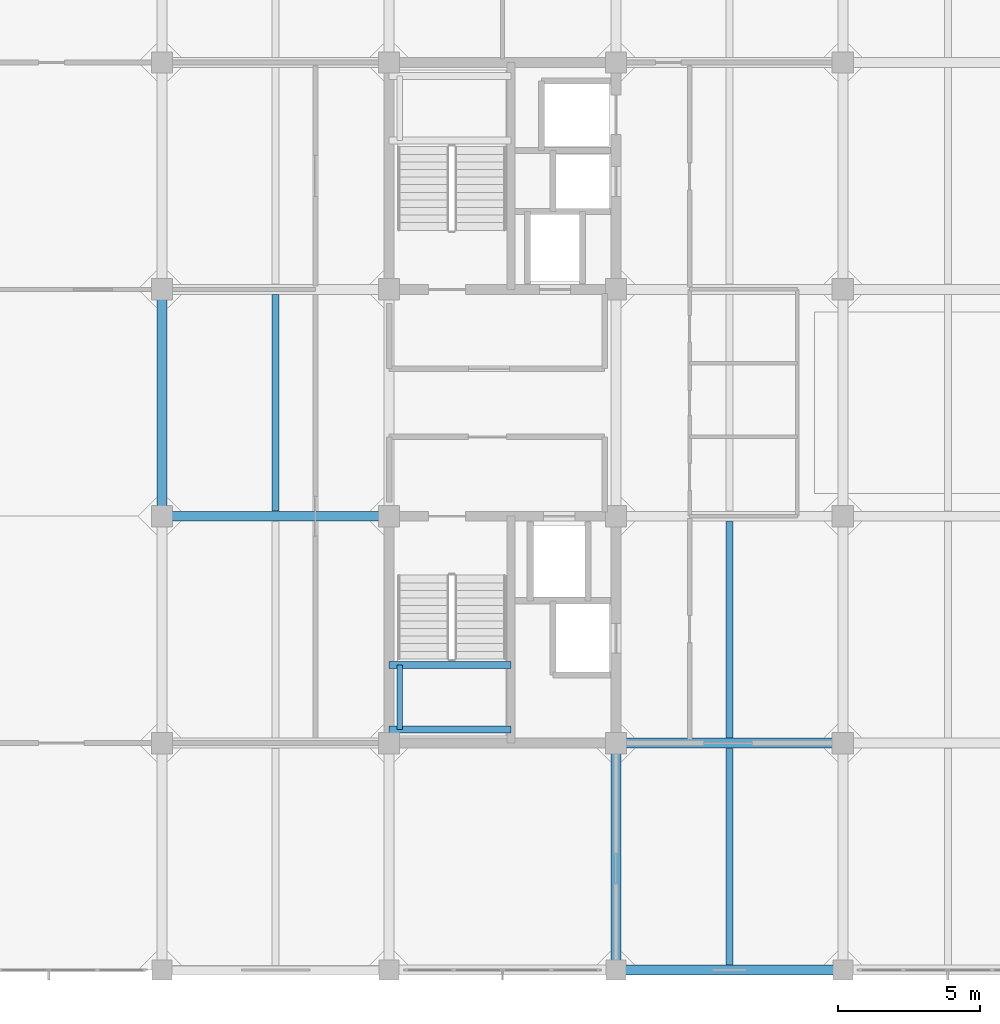
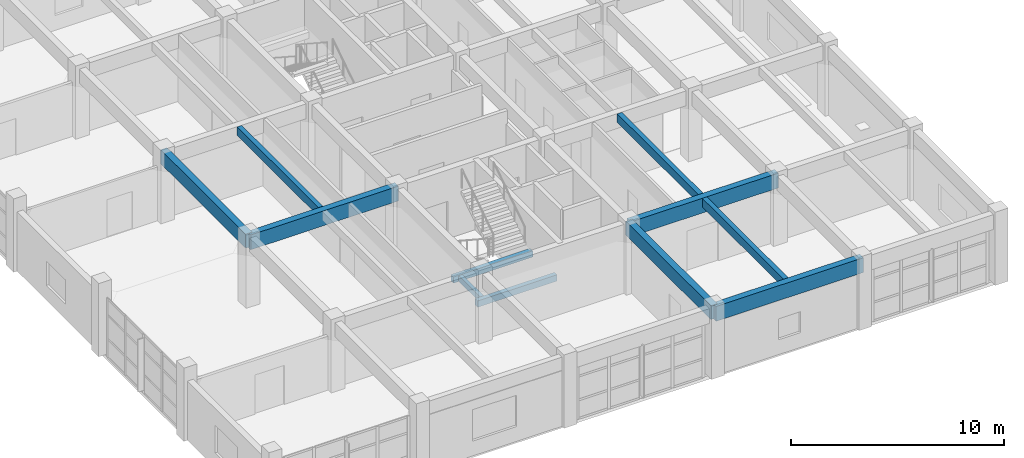
# One storey, part 7 of 27: 11 beams.
"""IFC4 building model written with IfcOpenShell, lengths in metres."""

from ifc_helpers import new_model, si_unit, direction, frame, origin, origin_2d, place, context, subcontext, project, spatial, rectangle, extrude, material, material_profile, profile_set, type_object, element, save


model = new_model("IFC4")

# Units and contexts
model_context = context("Model", 3, precision=1e-05, world=origin(), true_north=direction((0.0, 1.0)))
body_context = subcontext(model_context, "Body", "Model", "MODEL_VIEW")
ifc_project = project(units=[si_unit("LENGTHUNIT", "METRE"), si_unit("AREAUNIT", "SQUARE_METRE"), si_unit("VOLUMEUNIT", "CUBIC_METRE"), si_unit("PLANEANGLEUNIT", "RADIAN"), si_unit("MASSUNIT", "GRAM", prefix="KILO")], contexts=[model_context])

# Site, building, storey
site_placement = place(None, origin())
site = spatial("IfcSite", under=ifc_project, at=site_placement, CompositionType="ELEMENT")
building_placement = place(site_placement, origin())
building = spatial("IfcBuilding", under=site, at=building_placement, Name="Canggui Botanical Conservatory", CompositionType="ELEMENT")
storey_placement = place(building_placement, frame((0.0, 0.0, 36.0)))
storey = spatial("IfcBuildingStorey", under=building, at=storey_placement, Name="L09", CompositionType="ELEMENT", Elevation=36.0)

# Beams
ifc_material = material(Name="Concrete C35", Category="concrete")
ifc_material_profile_1 = material_profile(ifc_material, rectangle(XDim=0.25, YDim=0.5, at=origin_2d()), Name="RB 250x500")
ifc_profile_set_1 = profile_set([ifc_material_profile_1], Name="Concrete C35")
beam_type_1 = type_object("IfcBeamType", Name="BM-JST04", PredefinedType="JOIST", material=ifc_profile_set_1)
for number, where, z_axis, x_axis, name in (
    (1, (150.0, 50.179931640625, 3.7099609375), (0.0, 1.0, 0.0), (-1.0, 0.0, 0.0), "Secondary Floor Joist L09-1-3"),
    (2, (166.0, 34.179931640625, 3.7099609375), (0.0, 1.0, 0.0), (-1.0, 0.0, 0.0), "Secondary Floor Joist L09-3-1"),
    (3, (166.0, 42.179931640625, 3.7099609375), (0.0, 1.0, 0.0), (-1.0, 0.0, 0.0), "Secondary Floor Joist L09-3-2"),
):
    element("IfcBeam", number, at=place(storey_placement, frame(where, z_axis=z_axis, x_axis=x_axis)), inside=storey, type_object=beam_type_1, Name=name, PredefinedType="JOIST", context=body_context, shape_type="SweptSolid", body=[
        extrude(rectangle(XDim=0.25, YDim=0.5, at=origin_2d()), origin(), (0.0, 0.0, 1.0), 7.64013671875),
    ])
ifc_material_profile_2 = material_profile(ifc_material, rectangle(XDim=0.35009765625, YDim=0.85009765625, at=origin_2d()), Name="RB 350x850")
ifc_profile_set_2 = profile_set([ifc_material_profile_2], Name="Concrete C35")
beam_type_2 = type_object("IfcBeamType", Name="BM-KL14", PredefinedType="BEAM", material=ifc_profile_set_2)
for number, where, z_axis, x_axis, name in (
    (4, (162.0, 34.0, 3.534912109375), (1.0, 0.0, 0.0), (0.0, 1.0, 0.0), "Frame Girder L09 Y34-3"),
    (5, (162.0, 42.0, 3.534912109375), (1.0, 0.0, 0.0), (0.0, 1.0, 0.0), "Frame Girder L09 Y42-3"),
    (6, (146.0, 50.0, 3.534912109375), (1.0, 0.0, 0.0), (0.0, 1.0, 0.0), "Frame Girder L09 Y50-1"),
):
    element("IfcBeam", number, at=place(storey_placement, frame(where, z_axis=z_axis, x_axis=x_axis)), inside=storey, type_object=beam_type_2, Name=name, PredefinedType="BEAM", context=body_context, shape_type="SweptSolid", body=[
        extrude(rectangle(XDim=0.35009765625, YDim=0.85009765625, at=origin_2d()), origin(), (0.0, 0.0, 1.0), 8.0),
    ])
ifc_material_profile_3 = material_profile(ifc_material, rectangle(XDim=0.35009765625, YDim=0.800048828125, at=origin_2d()), Name="RB 350x800")
ifc_profile_set_3 = profile_set([ifc_material_profile_3], Name="Concrete C35")
beam_type_3 = type_object("IfcBeamType", Name="BM-KL15", PredefinedType="BEAM", material=ifc_profile_set_3)
for number, where, z_axis, x_axis, name in (
    (7, (146.0, 50.0, 3.56005859375), (0.0, 1.0, 0.0), (-1.0, 0.0, 0.0), "Frame Girder L09 X146-3"),
    (8, (162.0, 34.0, 3.56005859375), (0.0, 1.0, 0.0), (-1.0, 0.0, 0.0), "Frame Girder L09 X162-1"),
):
    element("IfcBeam", number, at=place(storey_placement, frame(where, z_axis=z_axis, x_axis=x_axis)), inside=storey, type_object=beam_type_3, Name=name, PredefinedType="BEAM", context=body_context, shape_type="SweptSolid", body=[
        extrude(rectangle(XDim=0.35009765625, YDim=0.800048828125, at=origin_2d()), origin(), (0.0, 0.0, 1.0), 8.0),
    ])
ifc_material_profile_4 = material_profile(ifc_material, rectangle(XDim=0.239990234375, YDim=0.360107421875, at=origin_2d()), Name="RB 240x360")
ifc_profile_set_4 = profile_set([ifc_material_profile_4], Name="Concrete C35")
beam_type_4 = type_object("IfcBeamType", Name="BM-LIN01", PredefinedType="LINTEL", material=ifc_profile_set_4)
for number, where, z_axis, x_axis, name in (
    (9, (154.0, 42.47998046875, 1.719970703125), (1.0, 0.0, 0.0), (0.0, 1.0, 0.0), "ST-T1 Half-Landing Ledger Beam L09-1.1"),
    (10, (154.0, 44.75244140625, 1.719970703125), (1.0, 0.0, 0.0), (0.0, 1.0, 0.0), "ST-T1 Half-Landing Ledger Beam L09-1.2"),
):
    element("IfcBeam", number, at=place(storey_placement, frame(where, z_axis=z_axis, x_axis=x_axis)), inside=storey, type_object=beam_type_4, Name=name, PredefinedType="LINTEL", context=body_context, shape_type="SweptSolid", body=[
        extrude(rectangle(XDim=0.239990234375, YDim=0.360107421875, at=origin_2d()), origin(), (0.0, 0.0, 1.0), 4.300048828125),
    ])
ifc_material_profile_5 = material_profile(ifc_material, rectangle(XDim=0.199951171875, YDim=0.320068359375, at=origin_2d()), Name="RB 200x320")
ifc_profile_set_5 = profile_set([ifc_material_profile_5], Name="Concrete C35")
beam_type_5 = type_object("IfcBeamType", Name="BM-LIN02", PredefinedType="LINTEL", material=ifc_profile_set_5)
beam_placement = place(storey_placement, frame((154.3798828125, 42.47998046875, 1.719970703125), z_axis=(0.0, 1.0, 0.0), x_axis=(-1.0, 0.0, 0.0)))
element("IfcBeam", 11, at=beam_placement, inside=storey, type_object=beam_type_5, Name="ST-T1 Half-Landing Edge Ledger L09-1.3", PredefinedType="LINTEL", context=body_context, shape_type="SweptSolid", body=[
    extrude(rectangle(XDim=0.199951171875, YDim=0.320068359375, at=origin_2d()), origin(), (0.0, 0.0, 1.0), 2.2724609375),
])

save(model, "model.ifc")
